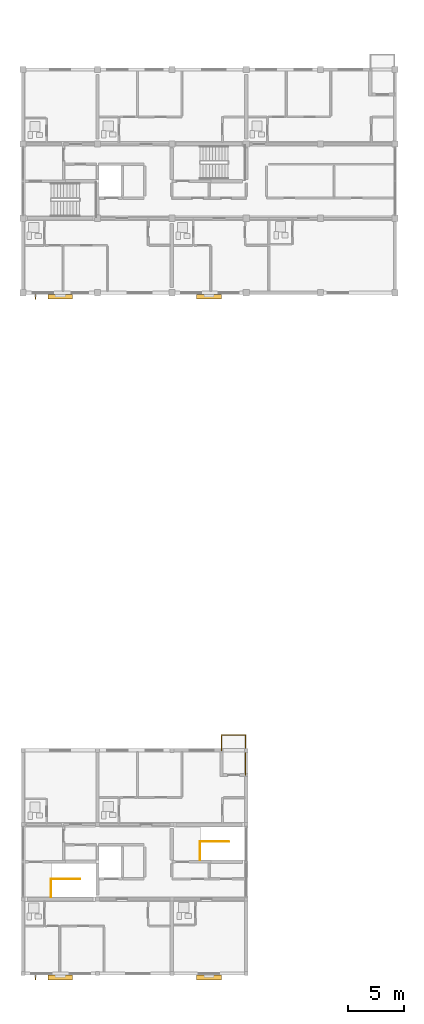
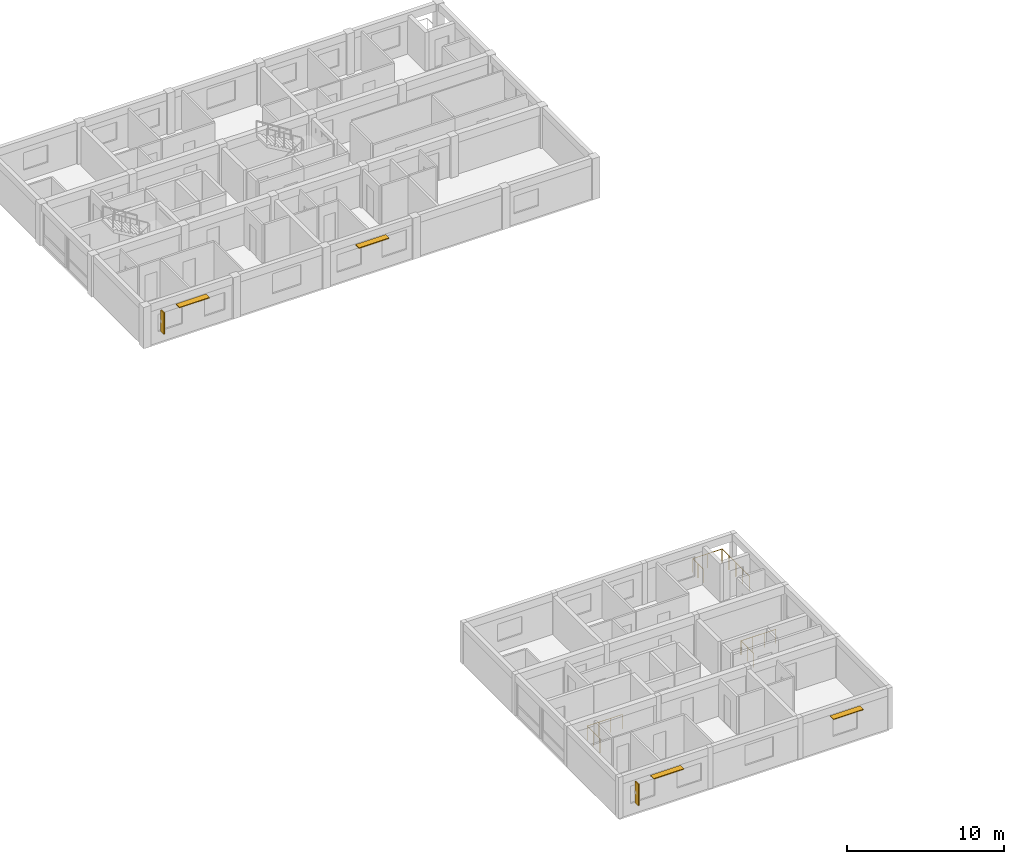
# One storey, part 44 of 49: 6 shading devices, 3 railings.
"""IFC4 building model written with IfcOpenShell, lengths in metres."""

from ifc_helpers import new_model, si_unit, direction, frame, origin, origin_2d, place, context, subcontext, project, spatial, rectangle, circle, extrude, material, layer, layer_set, type_object, element, save


model = new_model("IFC4")

# Units and contexts
model_context = context("Model", 3, precision=1e-05, world=origin(), true_north=direction((0.0, 1.0)))
body_context = subcontext(model_context, "Body", "Model", "MODEL_VIEW")
ifc_project = project(units=[si_unit("LENGTHUNIT", "METRE"), si_unit("AREAUNIT", "SQUARE_METRE"), si_unit("VOLUMEUNIT", "CUBIC_METRE"), si_unit("PLANEANGLEUNIT", "RADIAN"), si_unit("MASSUNIT", "GRAM", prefix="KILO")], contexts=[model_context])

# Site, building, storey
site_placement = place(None, origin())
site = spatial("IfcSite", under=ifc_project, at=site_placement, CompositionType="ELEMENT")
building_placement = place(site_placement, origin())
building = spatial("IfcBuilding", under=site, at=building_placement, Name="Kernevlak Ridge Housing Community", CompositionType="ELEMENT")
storey_placement = place(building_placement, frame((0.0, 0.0, 30.800048828125)))
storey = spatial("IfcBuildingStorey", under=building, at=storey_placement, Name="L09", CompositionType="ELEMENT", Elevation=30.800048828125)

# Railings
ifc_material_1 = material(Name="Steel S355", Category="steel")
railing_type_1 = type_object("IfcRailingType", Name="BL-01", PredefinedType="BALUSTRADE", material=ifc_material_1)
railing_1_placement = place(storey_placement, frame((33.199951171875, 35.39990234375, 0.0)))
element("IfcRailing", 1, at=railing_1_placement, inside=storey, type_object=railing_type_1, Name="Block D L09 balcony balustrade BL-01 56", PredefinedType="BALUSTRADE", context=body_context, shape_type="SweptSolid", body=[
    extrude(circle(Radius=0.02392578125, at=origin_2d()), frame((0.0, 0.0, 1.076171875), z_axis=(0.0, 1.0, 0.0), x_axis=(-1.0, 0.0, 0.0)), (0.0, 0.0, 1.0), 1.35009765625),
    extrude(circle(Radius=0.02392578125, at=origin_2d()), frame((0.0, 1.35009765625, 1.076171875), z_axis=(1.0, 0.0, 0.0), x_axis=(0.0, 1.0, 0.0)), (0.0, 0.0, 1.0), 2.150146484375),
    extrude(circle(Radius=0.02392578125, at=origin_2d()), frame((2.150146484375, 1.35009765625, 1.076171875), z_axis=(0.0, -1.0, 0.0), x_axis=(1.0, 0.0, 0.0)), (0.0, 0.0, 1.0), 3.550048828125),
    extrude(circle(Radius=0.02099609375, at=origin_2d()), origin(), (0.0, 0.0, 1.0), 1.052001953125),
    extrude(circle(Radius=0.02099609375, at=origin_2d()), frame((0.0, 0.675048828125, 0.0)), (0.0, 0.0, 1.0), 1.052001953125),
    extrude(circle(Radius=0.02099609375, at=origin_2d()), frame((0.0, 1.35009765625, 0.0)), (0.0, 0.0, 1.0), 1.052001953125),
    extrude(circle(Radius=0.02099609375, at=origin_2d()), frame((1.0751953125, 1.35009765625, 0.0)), (0.0, 0.0, 1.0), 1.052001953125),
    extrude(circle(Radius=0.02099609375, at=origin_2d()), frame((2.150146484375, 1.35009765625, 0.0)), (0.0, 0.0, 1.0), 1.052001953125),
    extrude(circle(Radius=0.02099609375, at=origin_2d()), frame((2.150146484375, 0.462646484375, 0.0)), (0.0, 0.0, 1.0), 1.052001953125),
    extrude(circle(Radius=0.02099609375, at=origin_2d()), frame((2.150146484375, -0.4248046875, 0.0)), (0.0, 0.0, 1.0), 1.052001953125),
    extrude(circle(Radius=0.02099609375, at=origin_2d()), frame((2.150146484375, -1.3125, 0.0)), (0.0, 0.0, 1.0), 1.052001953125),
    extrude(circle(Radius=0.02099609375, at=origin_2d()), frame((2.150146484375, -2.199951171875, 0.0)), (0.0, 0.0, 1.0), 1.052001953125),
])
railing_type_2 = type_object("IfcRailingType", Name="GR-02", PredefinedType="GUARDRAIL", material=ifc_material_1)
railing_2_placement = place(storey_placement, frame((18.080078125, 22.3798828125, 0.0)))
element("IfcRailing", 2, at=railing_2_placement, inside=storey, type_object=railing_type_2, Name="Stair ST-D1 L09 top well guardrail", PredefinedType="GUARDRAIL", context=body_context, shape_type="SweptSolid", body=[
    extrude(circle(Radius=0.02392578125, at=origin_2d()), frame((0.0, 0.0, 1.09619140625), z_axis=(0.0, 1.0, 0.0), x_axis=(-1.0, 0.0, 0.0)), (0.0, 0.0, 1.0), 1.610107421875),
    extrude(circle(Radius=0.02392578125, at=origin_2d()), frame((0.0, 1.610107421875, 1.09619140625), z_axis=(1.0, 0.0, 0.0), x_axis=(0.0, 1.0, 0.0)), (0.0, 0.0, 1.0), 2.56982421875),
    extrude(circle(Radius=0.02099609375, at=origin_2d()), origin(), (0.0, 0.0, 1.0), 1.072021484375),
    extrude(circle(Radius=0.02099609375, at=origin_2d()), frame((0.0, 0.80517578125, 0.0)), (0.0, 0.0, 1.0), 1.072021484375),
    extrude(circle(Radius=0.02099609375, at=origin_2d()), frame((0.0, 1.610107421875, 0.0)), (0.0, 0.0, 1.0), 1.072021484375),
    extrude(circle(Radius=0.02099609375, at=origin_2d()), frame((0.856689453125, 1.610107421875, 0.0)), (0.0, 0.0, 1.0), 1.072021484375),
    extrude(circle(Radius=0.02099609375, at=origin_2d()), frame((1.713134765625, 1.610107421875, 0.0)), (0.0, 0.0, 1.0), 1.072021484375),
    extrude(circle(Radius=0.02099609375, at=origin_2d()), frame((2.56982421875, 1.610107421875, 0.0)), (0.0, 0.0, 1.0), 1.072021484375),
])
railing_3_placement = place(storey_placement, frame((31.280029296875, 25.679931640625, 0.0)))
element("IfcRailing", 3, at=railing_3_placement, inside=storey, type_object=railing_type_2, Name="Stair ST-D2 L09 top well guardrail", PredefinedType="GUARDRAIL", context=body_context, shape_type="SweptSolid", body=[
    extrude(circle(Radius=0.02392578125, at=origin_2d()), frame((0.0, 0.0, 1.09619140625), z_axis=(0.0, 1.0, 0.0), x_axis=(-1.0, 0.0, 0.0)), (0.0, 0.0, 1.0), 1.610107421875),
    extrude(circle(Radius=0.02392578125, at=origin_2d()), frame((0.0, 1.610107421875, 1.09619140625), z_axis=(1.0, 0.0, 0.0), x_axis=(0.0, 1.0, 0.0)), (0.0, 0.0, 1.0), 2.570068359375),
    extrude(circle(Radius=0.02099609375, at=origin_2d()), origin(), (0.0, 0.0, 1.0), 1.072021484375),
    extrude(circle(Radius=0.02099609375, at=origin_2d()), frame((0.0, 0.80517578125, 0.0)), (0.0, 0.0, 1.0), 1.072021484375),
    extrude(circle(Radius=0.02099609375, at=origin_2d()), frame((0.0, 1.610107421875, 0.0)), (0.0, 0.0, 1.0), 1.072021484375),
    extrude(circle(Radius=0.02099609375, at=origin_2d()), frame((0.856689453125, 1.610107421875, 0.0)), (0.0, 0.0, 1.0), 1.072021484375),
    extrude(circle(Radius=0.02099609375, at=origin_2d()), frame((1.71337890625, 1.610107421875, 0.0)), (0.0, 0.0, 1.0), 1.072021484375),
    extrude(circle(Radius=0.02099609375, at=origin_2d()), frame((2.570068359375, 1.610107421875, 0.0)), (0.0, 0.0, 1.0), 1.072021484375),
])

# Shading devices
ifc_material_2 = material(Name="Aluminium EN AW-6060 anodised", Category="aluminium")
ifc_layer = layer(ifc_material_2, 0.06005859375, Name="Aluminium EN AW-6060 anodised")
ifc_layer_set = layer_set([ifc_layer], Name="Aluminium EN AW-6060 anodised")
shading_device_type_1 = type_object("IfcShadingDeviceType", Name="LV-01", PredefinedType="JALOUSIE", material=ifc_layer_set)
for number, where, z_axis, x_axis, name in (
    (4, (18.89990234375, 75.639892578125, 2.489990234375), (0.0, 0.0, 1.0), (1.0, 0.0, 0.0), "Horizontal solar louvre 7"),
    (5, (32.10009765625, 75.639892578125, 2.489990234375), (0.0, 0.0, 1.0), (1.0, 0.0, 0.0), "Horizontal solar louvre 8"),
    (6, (18.89990234375, 15.239990234375, 2.489990234375), (0.0, 0.0, 1.0), (1.0, 0.0, 0.0), "Horizontal solar louvre 45"),
    (7, (32.10009765625, 15.239990234375, 2.489990234375), (0.0, 0.0, 1.0), (1.0, 0.0, 0.0), "Horizontal solar louvre 46"),
):
    element("IfcShadingDevice", number, at=place(storey_placement, frame(where, z_axis=z_axis, x_axis=x_axis)), inside=storey, type_object=shading_device_type_1, Name=name, PredefinedType="JALOUSIE", context=body_context, shape_type="SweptSolid", body=[
        extrude(rectangle(XDim=2.199951171875, YDim=0.43994140625, at=origin_2d()), origin(), (0.0, 0.0, 1.0), 0.06005859375),
    ])
ifc_material_3 = material(Name="Aluminium EN AW-6060 enamelled", Category="aluminium")
shading_device_type_2 = type_object("IfcShadingDeviceType", Name="LV-02", PredefinedType="USERDEFINED", material=ifc_material_3)
for number, where, z_axis, x_axis, name in (
    (8, (16.699951171875, 75.64990234375, 0.824951171875), (0.0, 0.0, 1.0), (1.0, 0.0, 0.0), "De Stijl yellow vertical solar fin 7"),
    (9, (16.699951171875, 15.25, 0.824951171875), (0.0, 0.0, 1.0), (1.0, 0.0, 0.0), "De Stijl yellow vertical solar fin 45"),
):
    element("IfcShadingDevice", number, at=place(storey_placement, frame(where, z_axis=z_axis, x_axis=x_axis)), inside=storey, type_object=shading_device_type_2, Name=name, ObjectType="LOUVRE", PredefinedType="USERDEFINED", context=body_context, shape_type="SweptSolid", body=[
        extrude(rectangle(XDim=0.080078125, YDim=0.419921875, at=origin_2d()), origin(), (0.0, 0.0, 1.0), 1.64990234375),
    ])

save(model, "model.ifc")
